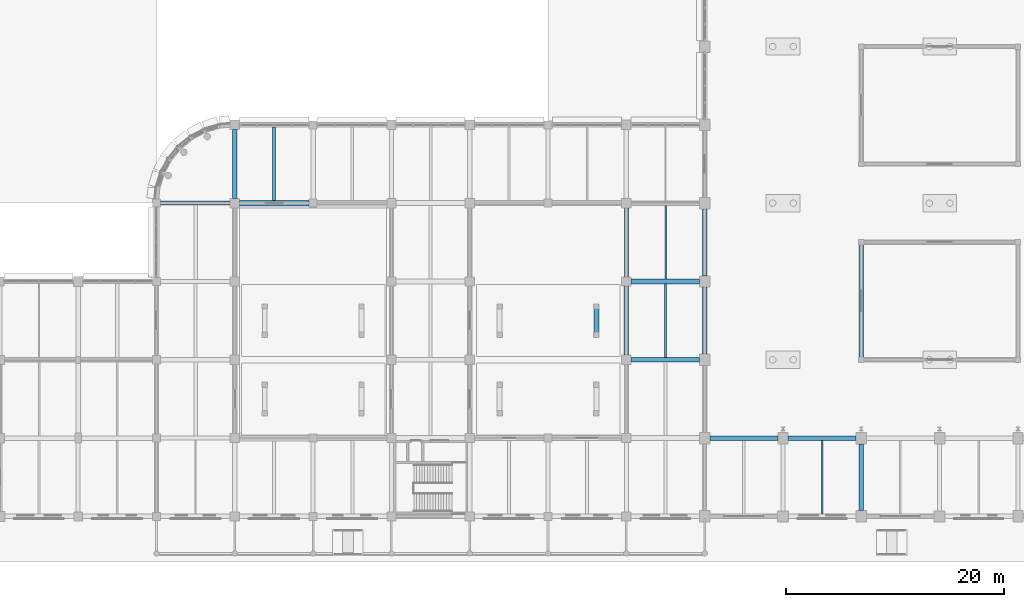
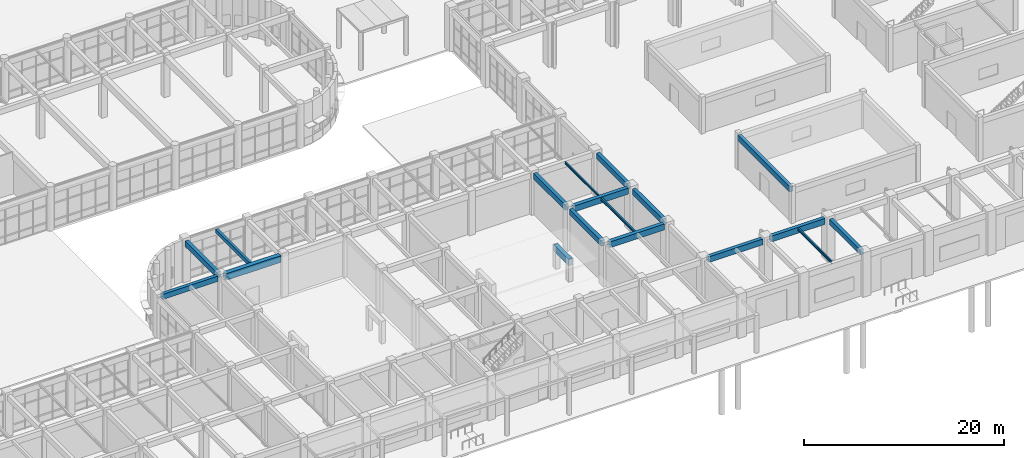
# One storey, part 29 of 160: 18 beams.
"""IFC4 building model written with IfcOpenShell, lengths in metres."""

from ifc_helpers import new_model, si_unit, direction, frame, origin, origin_2d, place, context, subcontext, project, spatial, rectangle, i_section, extrude, material, material_profile, profile_set, type_object, element, save


model = new_model("IFC4")

# Units and contexts
model_context = context("Model", 3, precision=1e-05, world=origin(), true_north=direction((0.0, 1.0)))
body_context = subcontext(model_context, "Body", "Model", "MODEL_VIEW")
ifc_project = project(units=[si_unit("LENGTHUNIT", "METRE"), si_unit("AREAUNIT", "SQUARE_METRE"), si_unit("VOLUMEUNIT", "CUBIC_METRE"), si_unit("PLANEANGLEUNIT", "RADIAN"), si_unit("MASSUNIT", "GRAM", prefix="KILO")], contexts=[model_context])

# Site, building, storey
site_placement = place(None, origin())
site = spatial("IfcSite", under=ifc_project, at=site_placement, CompositionType="ELEMENT")
building_placement = place(site_placement, origin())
building = spatial("IfcBuilding", under=site, at=building_placement, Name="Thalmaran Polytechnic", CompositionType="ELEMENT")
storey_placement = place(building_placement, origin())
storey = spatial("IfcBuildingStorey", under=building, at=storey_placement, Name="L00", CompositionType="ELEMENT", Elevation=0.0)

# Beams
ifc_material_1 = material(Name="Concrete C40/50", Category="concrete")
ifc_material_profile_1 = material_profile(ifc_material_1, rectangle(XDim=0.5, YDim=0.800048828125, at=origin_2d()), Name="RC 500x800")
ifc_profile_set_1 = profile_set([ifc_material_profile_1], Name="Concrete C40/50")
beam_type_1 = type_object("IfcBeamType", Name="BM-RC02", PredefinedType="BEAM", material=ifc_profile_set_1)
beam_1_placement = place(storey_placement, frame((65.22509765625, 28.800048828125, 4.68994140625), z_axis=(1.0, 0.0, 0.0), x_axis=(0.0, 1.0, 0.0)))
element("IfcBeam", 1, at=beam_1_placement, inside=storey, type_object=beam_type_1, Name="Grid Beam B02 L00 X(9,4)", PredefinedType="BEAM", context=body_context, shape_type="SweptSolid", body=[
    extrude(rectangle(XDim=0.5, YDim=0.800048828125, at=origin_2d()), origin(), (0.0, 0.0, 1.0), 6.39990234375),
])
ifc_material_profile_2 = material_profile(ifc_material_1, rectangle(XDim=0.39990234375, YDim=0.699951171875, at=origin_2d()), Name="RC 400x700")
ifc_profile_set_2 = profile_set([ifc_material_profile_2], Name="Concrete C40/50")
beam_type_2 = type_object("IfcBeamType", Name="BM-RC05", PredefinedType="BEAM", material=ifc_profile_set_2)
beam_2_placement = place(storey_placement, frame((108.47509765625, 7.199951171875, 4.739990234375), z_axis=(1.0, 0.0, 0.0), x_axis=(0.0, 1.0, 0.0)))
element("IfcBeam", 2, at=beam_2_placement, inside=storey, type_object=beam_type_2, Name="Grid Beam B05 L00 X(15,1)", PredefinedType="BEAM", context=body_context, shape_type="SweptSolid", body=[
    extrude(rectangle(XDim=0.39990234375, YDim=0.699951171875, at=origin_2d()), origin(), (0.0, 0.0, 1.0), 6.25),
])
ifc_material_profile_3 = material_profile(ifc_material_1, rectangle(XDim=0.389892578125, YDim=0.68505859375, at=origin_2d()), Name="RC 390x685")
ifc_profile_set_3 = profile_set([ifc_material_profile_3], Name="Concrete C40/50")
beam_type_3 = type_object("IfcBeamType", Name="BM-RC08", PredefinedType="BEAM", material=ifc_profile_set_3)
beam_3_placement = place(storey_placement, frame((122.39990234375, 14.610107421875, 3.91259765625), z_axis=(0.0, 1.0, 0.0), x_axis=(-1.0, 0.0, 0.0)))
element("IfcBeam", 3, at=beam_3_placement, inside=storey, type_object=beam_type_3, Name="POD1 Edge Beam Y", PredefinedType="BEAM", context=body_context, shape_type="SweptSolid", body=[
    extrude(rectangle(XDim=0.389892578125, YDim=0.68505859375, at=origin_2d()), origin(), (0.0, 0.0, 1.0), 10.3798828125),
])
ifc_material_profile_4 = material_profile(ifc_material_1, rectangle(XDim=0.389892578125, YDim=0.68994140625, at=origin_2d()), Name="RC 390x690")
ifc_profile_set_4 = profile_set([ifc_material_profile_4], Name="Concrete C40/50")
beam_type_4 = type_object("IfcBeamType", Name="BM-RC09", PredefinedType="BEAM", material=ifc_profile_set_4)
beam_4_placement = place(storey_placement, frame((100.800048828125, 22.02490234375, 4.7451171875), z_axis=(0.0, 1.0, 0.0), x_axis=(-1.0, 0.0, 0.0)))
element("IfcBeam", 4, at=beam_4_placement, inside=storey, type_object=beam_type_4, Name="Grid Beam B09 L00 Y(14,3)", PredefinedType="BEAM", context=body_context, shape_type="SweptSolid", body=[
    extrude(rectangle(XDim=0.389892578125, YDim=0.68994140625, at=origin_2d()), origin(), (0.0, 0.0, 1.0), 6.35009765625),
])
beam_5_placement = place(storey_placement, frame((108.0, 22.125, 4.7451171875), z_axis=(0.0, 1.0, 0.0), x_axis=(-1.0, 0.0, 0.0)))
element("IfcBeam", 5, at=beam_5_placement, inside=storey, type_object=beam_type_4, Name="Grid Beam B09 L00 Y(15,3)", PredefinedType="BEAM", context=body_context, shape_type="SweptSolid", body=[
    extrude(rectangle(XDim=0.389892578125, YDim=0.68994140625, at=origin_2d()), origin(), (0.0, 0.0, 1.0), 6.14990234375),
])
ifc_material_profile_5 = material_profile(ifc_material_1, rectangle(XDim=0.280029296875, YDim=0.449951171875, at=origin_2d()), Name="RC 280x450")
ifc_profile_set_5 = profile_set([ifc_material_profile_5], Name="Concrete C40/50")
beam_type_5 = type_object("IfcBeamType", Name="BM-RC13", PredefinedType="JOIST", material=ifc_profile_set_5)
beam_6_placement = place(storey_placement, frame((68.39990234375, 29.050048828125, 4.864990234375), z_axis=(0.0, 1.0, 0.0), x_axis=(-1.0, 0.0, 0.0)))
element("IfcBeam", 6, at=beam_6_placement, inside=storey, type_object=beam_type_5, Name="Secondary Floor Rib RB03 L00 (9,4)", PredefinedType="JOIST", context=body_context, shape_type="SweptSolid", body=[
    extrude(rectangle(XDim=0.280029296875, YDim=0.449951171875, at=origin_2d()), origin(), (0.0, 0.0, 1.0), 6.75),
])
ifc_material_profile_6 = material_profile(ifc_material_1, rectangle(XDim=0.449951171875, YDim=0.820068359375, at=origin_2d()), Name="RC 450x820")
ifc_profile_set_6 = profile_set([ifc_material_profile_6], Name="Concrete C40/50")
beam_type_6 = type_object("IfcBeamType", Name="BM-RK01", PredefinedType="BEAM", material=ifc_profile_set_6)
beam_7_placement = place(storey_placement, frame((98.050048828125, 16.5, 2.360107421875), z_axis=(0.0, 1.0, 0.0), x_axis=(-1.0, 0.0, 0.0)))
element("IfcBeam", 7, at=beam_7_placement, inside=storey, type_object=beam_type_6, Name="Lecture Raker Girder 2-2", PredefinedType="BEAM", context=body_context, shape_type="SweptSolid", body=[
    extrude(rectangle(XDim=0.449951171875, YDim=0.820068359375, at=origin_2d()), origin(), (0.0, 0.0, 1.0), 3.0),
])
ifc_material_2 = material(Name="Steel S355", Category="steel")
ifc_material_profile_7 = material_profile(ifc_material_2, i_section(OverallWidth=0.159912109375, OverallDepth=0.330078125, WebThickness=0.007568359375, FlangeThickness=0.011474609375, at=origin_2d()), Name="IPE 330")
ifc_profile_set_7 = profile_set([ifc_material_profile_7], Name="Steel S355")
beam_type_7 = type_object("IfcBeamType", Name="BM-SJ02", PredefinedType="JOIST", material=ifc_profile_set_7)
beam_8_placement = place(storey_placement, frame((104.39990234375, 14.6201171875, 4.925048828125), z_axis=(0.0, 1.0, 0.0), x_axis=(-1.0, 0.0, 0.0)))
element("IfcBeam", 8, at=beam_8_placement, inside=storey, type_object=beam_type_7, Name="Secondary Floor Rib SJ02 L00 (14,2)", PredefinedType="JOIST", context=body_context, shape_type="SweptSolid", body=[
    extrude(i_section(OverallWidth=0.159912109375, OverallDepth=0.330078125, WebThickness=0.007568359375, FlangeThickness=0.011474609375, at=origin_2d()), origin(), (0.0, 0.0, 1.0), 6.759765625),
])
beam_9_placement = place(storey_placement, frame((118.800048828125, 0.199951171875, 4.925048828125), z_axis=(0.0, 1.0, 0.0), x_axis=(-1.0, 0.0, 0.0)))
element("IfcBeam", 9, at=beam_9_placement, inside=storey, type_object=beam_type_7, Name="Secondary Floor Rib SJ02 L00 (16,0)", PredefinedType="JOIST", context=body_context, shape_type="SweptSolid", body=[
    extrude(i_section(OverallWidth=0.159912109375, OverallDepth=0.330078125, WebThickness=0.007568359375, FlangeThickness=0.011474609375, at=origin_2d()), origin(), (0.0, 0.0, 1.0), 6.800048828125),
])
ifc_material_profile_8 = material_profile(ifc_material_2, i_section(OverallWidth=0.135009765625, OverallDepth=0.27001953125, WebThickness=0.006591796875, FlangeThickness=0.01025390625, at=origin_2d()), Name="IPE 270")
ifc_profile_set_8 = profile_set([ifc_material_profile_8], Name="Steel S355")
beam_type_8 = type_object("IfcBeamType", Name="BM-SJ03", PredefinedType="JOIST", material=ifc_profile_set_8)
beam_10_placement = place(storey_placement, frame((104.39990234375, 21.820068359375, 4.955078125), z_axis=(0.0, 1.0, 0.0), x_axis=(-1.0, 0.0, 0.0)))
element("IfcBeam", 10, at=beam_10_placement, inside=storey, type_object=beam_type_8, Name="Secondary Floor Rib SJ03 L00 (14,3)", PredefinedType="JOIST", context=body_context, shape_type="SweptSolid", body=[
    extrude(i_section(OverallWidth=0.135009765625, OverallDepth=0.27001953125, WebThickness=0.006591796875, FlangeThickness=0.01025390625, at=origin_2d()), origin(), (0.0, 0.0, 1.0), 6.760009765625),
])
ifc_material_profile_9 = material_profile(ifc_material_1, rectangle(XDim=0.39990234375, YDim=0.719970703125, at=origin_2d()), Name="RC 400x720")
ifc_profile_set_9 = profile_set([ifc_material_profile_9], Name="Concrete C40/50")
beam_type_9 = type_object("IfcBeamType", Name="BM-SP01", PredefinedType="SPANDREL", material=ifc_profile_set_9)
beam_11_placement = place(storey_placement, frame((115.675048828125, 7.199951171875, 4.72998046875), z_axis=(1.0, 0.0, 0.0), x_axis=(0.0, 1.0, 0.0)))
element("IfcBeam", 11, at=beam_11_placement, inside=storey, type_object=beam_type_9, Name="Grid Beam SP01 L00 X(16,1)", PredefinedType="SPANDREL", context=body_context, shape_type="SweptSolid", body=[
    extrude(rectangle(XDim=0.39990234375, YDim=0.719970703125, at=origin_2d()), origin(), (0.0, 0.0, 1.0), 6.25),
])
ifc_material_profile_10 = material_profile(ifc_material_1, rectangle(XDim=0.43994140625, YDim=0.719970703125, at=origin_2d()), Name="RC 440x720")
ifc_profile_set_10 = profile_set([ifc_material_profile_10], Name="Concrete C40/50")
beam_type_10 = type_object("IfcBeamType", Name="BM-ZB03", PredefinedType="BEAM", material=ifc_profile_set_10)
for number, where, z_axis, x_axis, name in (
    (12, (101.22509765625, 14.39990234375, 4.72998046875), (1.0, 0.0, 0.0), (0.0, 1.0, 0.0), "Grid Beam ZB03 L00 X(14,2)"),
    (13, (101.22509765625, 21.60009765625, 4.72998046875), (1.0, 0.0, 0.0), (0.0, 1.0, 0.0), "Grid Beam ZB03 L00 X(14,3)"),
):
    element("IfcBeam", number, at=place(storey_placement, frame(where, z_axis=z_axis, x_axis=x_axis)), inside=storey, type_object=beam_type_10, Name=name, PredefinedType="BEAM", context=body_context, shape_type="SweptSolid", body=[
        extrude(rectangle(XDim=0.43994140625, YDim=0.719970703125, at=origin_2d()), origin(), (0.0, 0.0, 1.0), 6.2998046875),
    ])
ifc_material_profile_11 = material_profile(ifc_material_1, rectangle(XDim=0.3798828125, YDim=0.639892578125, at=origin_2d()), Name="RC 380x640")
ifc_profile_set_11 = profile_set([ifc_material_profile_11], Name="Concrete C40/50")
beam_type_11 = type_object("IfcBeamType", Name="BM-ZB05", PredefinedType="BEAM", material=ifc_profile_set_11)
beam_12_placement = place(storey_placement, frame((57.97509765625, 28.800048828125, 4.77001953125), z_axis=(1.0, 0.0, 0.0), x_axis=(0.0, 1.0, 0.0)))
element("IfcBeam", 14, at=beam_12_placement, inside=storey, type_object=beam_type_11, Name="Grid Beam ZB05 L00 X(8,4)", PredefinedType="BEAM", context=body_context, shape_type="SweptSolid", body=[
    extrude(rectangle(XDim=0.3798828125, YDim=0.639892578125, at=origin_2d()), origin(), (0.0, 0.0, 1.0), 6.39990234375),
])
ifc_material_profile_12 = material_profile(ifc_material_1, rectangle(XDim=0.3798828125, YDim=0.635009765625, at=origin_2d()), Name="RC 380x635")
ifc_profile_set_12 = profile_set([ifc_material_profile_12], Name="Concrete C40/50")
beam_type_12 = type_object("IfcBeamType", Name="BM-ZB06", PredefinedType="BEAM", material=ifc_profile_set_12)
beam_13_placement = place(storey_placement, frame((122.39990234375, 0.52490234375, 4.7724609375), z_axis=(0.0, 1.0, 0.0), x_axis=(-1.0, 0.0, 0.0)))
element("IfcBeam", 15, at=beam_13_placement, inside=storey, type_object=beam_type_12, Name="Grid Beam ZB06 L00 Y(17,0)", PredefinedType="BEAM", context=body_context, shape_type="SweptSolid", body=[
    extrude(rectangle(XDim=0.3798828125, YDim=0.635009765625, at=origin_2d()), origin(), (0.0, 0.0, 1.0), 6.150146484375),
])
ifc_material_profile_13 = material_profile(ifc_material_1, rectangle(XDim=0.39990234375, YDim=0.68505859375, at=origin_2d()), Name="RC 400x685")
ifc_profile_set_13 = profile_set([ifc_material_profile_13], Name="Concrete C40/50")
beam_type_13 = type_object("IfcBeamType", Name="BM-ZB07", PredefinedType="BEAM", material=ifc_profile_set_13)
beam_14_placement = place(storey_placement, frame((100.800048828125, 14.824951171875, 4.74755859375), z_axis=(0.0, 1.0, 0.0), x_axis=(-1.0, 0.0, 0.0)))
element("IfcBeam", 16, at=beam_14_placement, inside=storey, type_object=beam_type_13, Name="Grid Beam ZB07 L00 Y(14,2)", PredefinedType="BEAM", context=body_context, shape_type="SweptSolid", body=[
    extrude(rectangle(XDim=0.39990234375, YDim=0.68505859375, at=origin_2d()), origin(), (0.0, 0.0, 1.0), 6.35009765625),
])
beam_15_placement = place(storey_placement, frame((108.0, 14.925048828125, 4.74755859375), z_axis=(0.0, 1.0, 0.0), x_axis=(-1.0, 0.0, 0.0)))
element("IfcBeam", 17, at=beam_15_placement, inside=storey, type_object=beam_type_13, Name="Grid Beam ZB07 L00 Y(15,2)", PredefinedType="BEAM", context=body_context, shape_type="SweptSolid", body=[
    extrude(rectangle(XDim=0.39990234375, YDim=0.68505859375, at=origin_2d()), origin(), (0.0, 0.0, 1.0), 6.14990234375),
])
ifc_material_profile_14 = material_profile(ifc_material_1, rectangle(XDim=0.39990234375, YDim=0.695068359375, at=origin_2d()), Name="RC 400x695")
ifc_profile_set_14 = profile_set([ifc_material_profile_14], Name="Concrete C40/50")
beam_type_14 = type_object("IfcBeamType", Name="BM-ZB08", PredefinedType="BEAM", material=ifc_profile_set_14)
beam_16_placement = place(storey_placement, frame((64.800048828125, 29.22509765625, 4.742431640625), z_axis=(0.0, 1.0, 0.0), x_axis=(-1.0, 0.0, 0.0)))
element("IfcBeam", 18, at=beam_16_placement, inside=storey, type_object=beam_type_14, Name="Grid Beam ZB08 L00 Y(9,4)", PredefinedType="BEAM", context=body_context, shape_type="SweptSolid", body=[
    extrude(rectangle(XDim=0.39990234375, YDim=0.695068359375, at=origin_2d()), origin(), (0.0, 0.0, 1.0), 6.349853515625),
])

save(model, "model.ifc")
